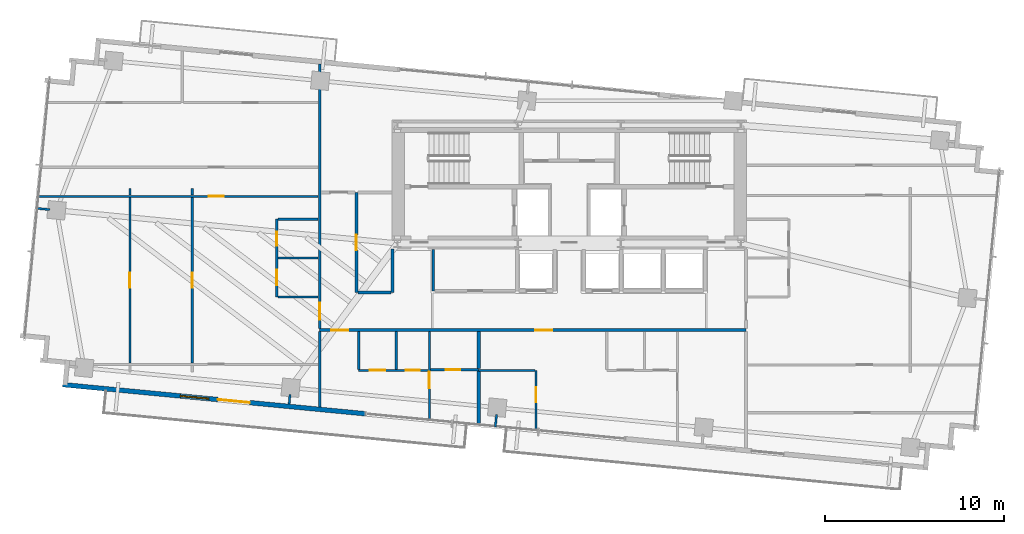
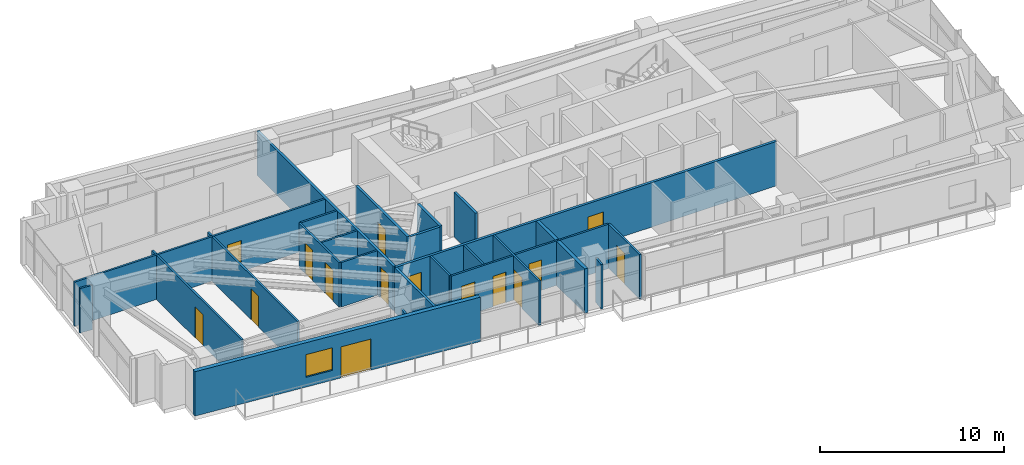
# One storey, part 15 of 20: 29 walls, 15 doors, 1 window, 16 openings.
"""IFC4 building model written with IfcOpenShell, lengths in metres."""

from ifc_helpers import new_model, si_unit, direction, frame, frame_2d, origin, place, context, subcontext, project, spatial, rectangle, extrude, source, transform, mapped, material, layer, layer_set, type_object, type_shapes, element, fill, save


model = new_model("IFC4")

# Units and contexts
model_context = context("Model", 3, precision=1e-05, world=origin(), true_north=direction((0.0, 1.0)))
body_context = subcontext(model_context, "Body", "Model", "MODEL_VIEW")
ifc_project = project(units=[si_unit("LENGTHUNIT", "METRE"), si_unit("AREAUNIT", "SQUARE_METRE"), si_unit("VOLUMEUNIT", "CUBIC_METRE"), si_unit("PLANEANGLEUNIT", "RADIAN"), si_unit("MASSUNIT", "GRAM", prefix="KILO")], contexts=[model_context])

# Site, building, storey
site_placement = place(None, origin())
site = spatial("IfcSite", under=ifc_project, at=site_placement, CompositionType="ELEMENT")
building_placement = place(site_placement, origin())
building = spatial("IfcBuilding", under=site, at=building_placement, Name="Astriad Promenade Condominiums", CompositionType="ELEMENT")
storey_placement = place(building_placement, frame((0.0, 0.0, 127.800048828125)))
storey = spatial("IfcBuildingStorey", under=building, at=storey_placement, Name="L36", CompositionType="ELEMENT", Elevation=127.800048828125)

# Wall
ifc_material_1 = material(Name="Fire-Rated Gypsum Partition")
ifc_layer_1 = layer(ifc_material_1, 0.159912109375)
ifc_layer_set_1 = layer_set([ifc_layer_1], Name="Fire-Rated Gypsum Partition")
wall_type_1 = type_object("IfcWallType", Name="WALL-CORR-160", PredefinedType="PARTITIONING", material=ifc_layer_set_1)
wall_1_placement = place(storey_placement, frame((28.39990234375, 14.75, 0.0), z_axis=(0.0, 0.0, 1.0), x_axis=(0.0, 1.0, 0.0)))
element("IfcWall", 1, at=wall_1_placement, inside=storey, type_object=wall_type_1, Name="REC-L-W-L36", PredefinedType="PARTITIONING", context=body_context, shape_type="SweptSolid", body=[
    extrude(rectangle(XDim=2.300048828125, YDim=0.159912109375, at=frame_2d((1.14990234375, 0.0))), origin(), (0.0, 0.0, 1.0), 2.93994140625),
])

# Wall, openings, doors
wall_2_placement = place(storey_placement, frame((22.050048828125, 12.550048828125, 0.0), z_axis=(0.0, 0.0, 1.0), x_axis=(1.0, 0.0, 0.0)))
wall_2 = element("IfcWall", 2, at=wall_2_placement, inside=storey, type_object=wall_type_1, Name="PT-COR-S-L36", PredefinedType="PARTITIONING", context=body_context, shape_type="SweptSolid", body=[
    extrude(rectangle(XDim=23.829833984375, YDim=0.159912109375, at=frame_2d((11.9150390625, 0.0))), origin(), (0.0, 0.0, 1.0), 2.93994140625),
])
opening_1_placement = place(wall_2_placement, frame((0.655029296875, 0.0, 0.0)))
opening_1 = element("IfcOpeningElement", 3, at=opening_1_placement, cuts=wall_2, Name="Opening FD60-APT-095", PredefinedType="OPENING", context=body_context, shape_type="SweptSolid", body=[
    extrude(rectangle(XDim=0.949951171875, YDim=2.06005859375, at=frame_2d((0.47509765625, 1.030029296875))), frame((0.0, 0.08984375, 0.0), z_axis=(0.0, -1.0, 0.0), x_axis=(1.0, 0.0, 0.0)), (0.0, 0.0, 1.0), 0.179931640625),
])
opening_2_placement = place(wall_2_placement, frame((12.0400390625, 0.0, 0.0)))
opening_2 = element("IfcOpeningElement", 4, at=opening_2_placement, cuts=wall_2, Name="Opening FD60-APT-095", PredefinedType="OPENING", context=body_context, shape_type="SweptSolid", body=[
    extrude(rectangle(XDim=0.949951171875, YDim=2.06005859375, at=frame_2d((0.47509765625, 1.030029296875))), frame((0.0, 0.08984375, 0.0), z_axis=(0.0, -1.0, 0.0), x_axis=(1.0, 0.0, 0.0)), (0.0, 0.0, 1.0), 0.179931640625),
])
ifc_material_2 = material(Name="Solid-Core Acoustic Timber Residence Entry Door", Category="wood")
door_type_1 = type_object("IfcDoorType", Name="FD60-APT-095", OperationType="NOTDEFINED", PredefinedType="DOOR", material=ifc_material_2)
shared_shape_1 = source(origin(), body_context, "Body", "SweptSolid", [
    extrude(rectangle(XDim=0.949951171875, YDim=2.06005859375, at=frame_2d((0.47509765625, 1.030029296875))), frame((0.0, 0.02490234375, 0.0), z_axis=(0.0, -1.0, 0.0), x_axis=(1.0, 0.0, 0.0)), (0.0, 0.0, 1.0), 0.050048828125),
])
type_shapes(door_type_1, [shared_shape_1])
door_1_placement = place(opening_1_placement, origin())
door_1 = element("IfcDoor", 5, at=door_1_placement, inside=storey, type_object=door_type_1, Name="D-ENT-L36-S1", OperationType="SINGLE_SWING_RIGHT", OverallHeight=2.06005859375, OverallWidth=0.949951171875, PredefinedType="DOOR", context=body_context, shape_type="MappedRepresentation", body=[
    mapped(shared_shape_1, transform((0.0, 0.0, 0.0), scale=1.0)),
])
fill(opening_1, door_1)
door_2_placement = place(opening_2_placement, origin())
door_2 = element("IfcDoor", 6, at=door_2_placement, inside=storey, type_object=door_type_1, Name="D-ENT-L36-S2", OperationType="SINGLE_SWING_LEFT", OverallHeight=2.06005859375, OverallWidth=0.949951171875, PredefinedType="DOOR", context=body_context, shape_type="MappedRepresentation", body=[
    mapped(shared_shape_1, transform((0.0, 0.0, 0.0), scale=1.0)),
])
fill(opening_2, door_2)

# Wall
wall_3_placement = place(storey_placement, frame((22.050048828125, 8.253173828125, 0.0), z_axis=(0.0, 0.0, 1.0), x_axis=(0.0, 1.0, 0.0)))
element("IfcWall", 7, at=wall_3_placement, inside=storey, type_object=wall_type_1, Name="PT-COR-W-L36", PredefinedType="PARTITIONING", context=body_context, shape_type="SweptSolid", body=[
    extrude(rectangle(XDim=4.21484375, YDim=0.159912109375, at=frame_2d((2.107421875, 0.0))), origin(), (0.0, 0.0, 1.0), 2.93994140625),
])

# Wall, opening, door
wall_4_placement = place(storey_placement, frame((22.050048828125, 12.632080078125, 0.0), z_axis=(0.0, 0.0, 1.0), x_axis=(0.0, 1.0, 0.0)))
wall_4 = element("IfcWall", 8, at=wall_4_placement, inside=storey, type_object=wall_type_1, Name="PT-COR-W-L36-S2", PredefinedType="PARTITIONING", context=body_context, shape_type="SweptSolid", body=[
    extrude(rectangle(XDim=14.78515625, YDim=0.159912109375, at=frame_2d((7.392578125, 0.0))), origin(), (0.0, 0.0, 1.0), 2.93994140625),
])
opening_3_placement = place(wall_4_placement, frame((0.492919921875, 0.0, 0.0)))
opening_3 = element("IfcOpeningElement", 9, at=opening_3_placement, cuts=wall_4, Name="Opening FD60-APT-095", PredefinedType="OPENING", context=body_context, shape_type="SweptSolid", body=[
    extrude(rectangle(XDim=0.949951171875, YDim=2.06005859375, at=frame_2d((0.47509765625, 1.030029296875))), frame((0.0, 0.08984375, 0.0), z_axis=(0.0, -1.0, 0.0), x_axis=(1.0, 0.0, 0.0)), (0.0, 0.0, 1.0), 0.179931640625),
])
door_3_placement = place(opening_3_placement, origin())
door_3 = element("IfcDoor", 10, at=door_3_placement, inside=storey, type_object=door_type_1, Name="D-ENT-L36-W1", OperationType="SINGLE_SWING_LEFT", OverallHeight=2.06005859375, OverallWidth=0.949951171875, PredefinedType="DOOR", context=body_context, shape_type="MappedRepresentation", body=[
    mapped(shared_shape_1, transform((0.0, 0.0, 0.0), scale=1.0)),
])
fill(opening_3, door_3)

wall_5_placement = place(storey_placement, frame((24.10009765625, 14.659912109375, 0.0), z_axis=(0.0, 0.0, 1.0), x_axis=(0.0, 1.0, 0.0)))
wall_5 = element("IfcWall", 11, at=wall_5_placement, inside=storey, type_object=wall_type_1, Name="PT-HK-E-L36", PredefinedType="PARTITIONING", context=body_context, shape_type="SweptSolid", body=[
    extrude(rectangle(XDim=5.590087890625, YDim=0.159912109375, at=frame_2d((2.794921875, 0.0))), origin(), (0.0, 0.0, 1.0), 2.93994140625),
])
opening_4_placement = place(wall_5_placement, frame((2.360107421875, 0.0, 0.0)))
opening_4 = element("IfcOpeningElement", 12, at=opening_4_placement, cuts=wall_5, Name="Opening FD60-ULOW-085", PredefinedType="OPENING", context=body_context, shape_type="SweptSolid", body=[
    extrude(rectangle(XDim=0.85009765625, YDim=2.0, at=frame_2d((0.425048828125, 1.0))), frame((0.0, 0.08984375, 0.0), z_axis=(0.0, -1.0, 0.0), x_axis=(1.0, 0.0, 0.0)), (0.0, 0.0, 1.0), 0.179931640625),
])
ifc_material_3 = material(Name="Solid-Core Low-Headroom Fire Door")
door_type_2 = type_object("IfcDoorType", Name="FD60-ULOW-085", OperationType="NOTDEFINED", PredefinedType="DOOR", material=ifc_material_3)
shared_shape_2 = source(origin(), body_context, "Body", "SweptSolid", [
    extrude(rectangle(XDim=0.85009765625, YDim=2.0, at=frame_2d((0.425048828125, 1.0))), frame((0.0, 0.02490234375, 0.0), z_axis=(0.0, -1.0, 0.0), x_axis=(1.0, 0.0, 0.0)), (0.0, 0.0, 1.0), 0.050048828125),
])
type_shapes(door_type_2, [shared_shape_2])
door_4_placement = place(opening_4_placement, origin())
door_4 = element("IfcDoor", 13, at=door_4_placement, inside=storey, type_object=door_type_2, Name="D-HKA-L36", OperationType="SINGLE_SWING_LEFT", OverallHeight=2.0, OverallWidth=0.85009765625, PredefinedType="DOOR", context=body_context, shape_type="MappedRepresentation", body=[
    mapped(shared_shape_2, transform((0.0, 0.0, 0.0), scale=1.0)),
])
fill(opening_4, door_4)

# Walls
wall_6_placement = place(storey_placement, frame((26.1201171875, 14.659912109375, 0.0), z_axis=(0.0, 0.0, 1.0), x_axis=(0.0, 1.0, 0.0)))
element("IfcWall", 14, at=wall_6_placement, inside=storey, type_object=wall_type_1, Name="PT-WSPUR-W-L36", PredefinedType="PARTITIONING", context=body_context, shape_type="SweptSolid", body=[
    extrude(rectangle(XDim=2.43798828125, YDim=0.159912109375, at=frame_2d((1.218994140625, 0.0))), origin(), (0.0, 0.0, 1.0), 2.93994140625),
])
wall_7_placement = place(storey_placement, frame((24.181884765625, 14.659912109375, 0.0), z_axis=(0.0, 0.0, 1.0), x_axis=(1.0, 0.0, 0.0)))
element("IfcWall", 15, at=wall_7_placement, inside=storey, type_object=wall_type_1, Name="PT-HK-S-L36", PredefinedType="PARTITIONING", context=body_context, shape_type="SweptSolid", body=[
    extrude(rectangle(XDim=1.856201171875, YDim=0.159912109375, at=frame_2d((0.92822265625, 0.0))), origin(), (0.0, 0.0, 1.0), 2.93994140625),
])
ifc_material_4 = material(Name="Acoustic Double-Stud Gypsum Partition")
ifc_layer_2 = layer(ifc_material_4, 0.199951171875)
ifc_layer_set_2 = layer_set([ifc_layer_2], Name="Acoustic Double-Stud Gypsum Partition")
wall_type_2 = type_object("IfcWallType", Name="WALL-DEMISING-200", PredefinedType="PARTITIONING", material=ifc_layer_set_2)
wall_8_placement = place(storey_placement, frame((30.929931640625, 7.215087890625, 0.0), z_axis=(0.0, 0.0, 1.0), x_axis=(0.0, 1.0, 0.0)))
element("IfcWall", 16, at=wall_8_placement, inside=storey, type_object=wall_type_2, Name="PT-DEM-S1-L36", PredefinedType="PARTITIONING", context=body_context, shape_type="SweptSolid", body=[
    extrude(rectangle(XDim=3.06201171875, YDim=0.199951171875, at=frame_2d((1.531005859375, 0.0))), origin(), (0.0, 0.0, 1.0), 2.93994140625),
])
wall_9_placement = place(storey_placement, frame((30.929931640625, 10.40087890625, 0.0), z_axis=(0.0, 0.0, 1.0), x_axis=(0.0, 1.0, 0.0)))
element("IfcWall", 17, at=wall_9_placement, inside=storey, type_object=wall_type_2, Name="PT-DEM-S1-L36-S2", PredefinedType="PARTITIONING", context=body_context, shape_type="SweptSolid", body=[
    extrude(rectangle(XDim=2.067138671875, YDim=0.199951171875, at=frame_2d((1.03369140625, 0.0))), origin(), (0.0, 0.0, 1.0), 2.93994140625),
])

# Wall, openings, door, window
ifc_material_5 = material(Name="Precast concrete C50/60", Category="concrete")
ifc_layer_3 = layer(ifc_material_5, 0.260009765625)
ifc_layer_set_3 = layer_set([ifc_layer_3], Name="Precast concrete C50/60")
wall_type_3 = type_object("IfcWallType", Name="WALL-EXT-TWR-260", PredefinedType="STANDARD", material=ifc_layer_set_3)
wall_10_placement = place(storey_placement, frame((24.61669921875, 7.873291015625, 0.0), z_axis=(0.0, 0.0, 1.0), x_axis=(-0.995395976631, 0.095848055311, 0.0)))
wall_10 = element("IfcWall", 18, at=wall_10_placement, inside=storey, type_object=wall_type_3, Name="W-EXT-L36-S2", PredefinedType="STANDARD", context=body_context, shape_type="SweptSolid", body=[
    extrude(rectangle(XDim=17.010009765625, YDim=0.260009765625, at=frame_2d((8.5048828125, 0.0))), origin(), (0.0, 0.0, 1.0), 2.93994140625),
])
opening_5_placement = place(wall_10_placement, frame((6.510009765625, 0.0, 0.0)))
opening_5 = element("IfcOpeningElement", 19, at=opening_5_placement, cuts=wall_10, Name="Opening BD-1822-SLD", PredefinedType="OPENING", context=body_context, shape_type="SweptSolid", body=[
    extrude(rectangle(XDim=1.800048828125, YDim=2.06005859375, at=frame_2d((0.89990234375, 1.030029296875))), frame((0.0, 0.139892578125, 0.0), z_axis=(0.0, -1.0, 0.0), x_axis=(1.0, 0.0, 0.0)), (0.0, 0.0, 1.0), 0.280029296875),
])
opening_6_placement = place(wall_10_placement, frame((8.800048828125, 0.0, 0.64990234375)))
opening_6 = element("IfcOpeningElement", 20, at=opening_6_placement, cuts=wall_10, Name="Opening WIN-TWR-1620", PredefinedType="OPENING", context=body_context, shape_type="SweptSolid", body=[
    extrude(rectangle(XDim=1.60009765625, YDim=1.5, at=frame_2d((0.800048828125, 0.75))), frame((0.0, 0.139892578125, 0.0), z_axis=(0.0, -1.0, 0.0), x_axis=(1.0, 0.0, 0.0)), (0.0, 0.0, 1.0), 0.280029296875),
])
ifc_material_6 = material(Name="Thermally Broken Aluminium Sliding Balcony Door", Category="aluminium")
door_type_3 = type_object("IfcDoorType", Name="BD-1822-SLD", OperationType="NOTDEFINED", PredefinedType="DOOR", material=ifc_material_6)
shared_shape_3 = source(origin(), body_context, "Body", "SweptSolid", [
    extrude(rectangle(XDim=1.800048828125, YDim=2.06005859375, at=frame_2d((0.89990234375, 1.030029296875))), frame((0.0, 0.02490234375, 0.0), z_axis=(0.0, -1.0, 0.0), x_axis=(1.0, 0.0, 0.0)), (0.0, 0.0, 1.0), 0.050048828125),
])
type_shapes(door_type_3, [shared_shape_3])
door_5_placement = place(opening_5_placement, origin())
door_5 = element("IfcDoor", 21, at=door_5_placement, inside=storey, type_object=door_type_3, Name="BD-L36-SW", OperationType="SLIDING_TO_LEFT", OverallHeight=2.06005859375, OverallWidth=1.800048828125, PredefinedType="DOOR", context=body_context, shape_type="MappedRepresentation", body=[
    mapped(shared_shape_3, transform((0.0, 0.0, 0.0), scale=1.0)),
])
fill(opening_5, door_5)
ifc_material_7 = material(Name="Dark Tinted Triple-Glazed Aluminium Window", Category="aluminium")
window_type = type_object("IfcWindowType", Name="WIN-TWR-1620", PartitioningType="SINGLE_PANEL", PredefinedType="WINDOW", material=ifc_material_7)
shared_shape_4 = source(origin(), body_context, "Body", "SweptSolid", [
    extrude(rectangle(XDim=1.60009765625, YDim=1.5, at=frame_2d((0.800048828125, 0.75))), frame((0.0, 0.030029296875, 0.0), z_axis=(0.0, -1.0, 0.0), x_axis=(1.0, 0.0, 0.0)), (0.0, 0.0, 1.0), 0.06005859375),
])
type_shapes(window_type, [shared_shape_4])
window_placement = place(opening_6_placement, origin())
window = element("IfcWindow", 22, at=window_placement, inside=storey, type_object=window_type, Name="WIN-L36-SW", OverallHeight=1.5, OverallWidth=1.60009765625, PartitioningType="SINGLE_PANEL", PredefinedType="WINDOW", context=body_context, shape_type="MappedRepresentation", body=[
    mapped(shared_shape_4, transform((0.0, 0.0, 0.0), scale=1.0)),
])
fill(opening_6, window)

# Wall, opening, door
ifc_material_8 = material(Name="Acoustic Metal-Stud Gypsum Partition")
ifc_layer_4 = layer(ifc_material_8, 0.1201171875)
ifc_layer_set_4 = layer_set([ifc_layer_4], Name="Acoustic Metal-Stud Gypsum Partition")
wall_type_4 = type_object("IfcWallType", Name="WALL-PART-120", PredefinedType="PARTITIONING", material=ifc_layer_set_4)
wall_11_placement = place(storey_placement, frame((28.179931640625, 7.47998046875, 0.0), z_axis=(0.0, 0.0, 1.0), x_axis=(0.0, 1.0, 0.0)))
wall_11 = element("IfcWall", 23, at=wall_11_placement, inside=storey, type_object=wall_type_4, Name="PT-L36-S1-BD1", PredefinedType="PARTITIONING", context=body_context, shape_type="SweptSolid", body=[
    extrude(rectangle(XDim=4.988037109375, YDim=0.1201171875, at=frame_2d((2.494140625, 0.0))), origin(), (0.0, 0.0, 1.0), 2.93994140625),
])
opening_7_placement = place(wall_11_placement, frame((1.835205078125, 0.0, 0.0)))
opening_7 = element("IfcOpeningElement", 24, at=opening_7_placement, cuts=wall_11, Name="Opening D-INT-090", PredefinedType="OPENING", context=body_context, shape_type="SweptSolid", body=[
    extrude(rectangle(XDim=0.89990234375, YDim=2.050048828125, at=frame_2d((0.449951171875, 1.02490234375))), frame((0.0, 0.070068359375, 0.0), z_axis=(0.0, -1.0, 0.0), x_axis=(1.0, 0.0, 0.0)), (0.0, 0.0, 1.0), 0.14013671875),
])
ifc_material_9 = material(Name="Painted Solid-Core Timber Bedroom Door", Category="wood")
door_type_4 = type_object("IfcDoorType", Name="D-INT-090", OperationType="NOTDEFINED", PredefinedType="DOOR", material=ifc_material_9)
shared_shape_5 = source(origin(), body_context, "Body", "SweptSolid", [
    extrude(rectangle(XDim=0.89990234375, YDim=2.050048828125, at=frame_2d((0.449951171875, 1.02490234375))), frame((0.0, 0.02490234375, 0.0), z_axis=(0.0, -1.0, 0.0), x_axis=(1.0, 0.0, 0.0)), (0.0, 0.0, 1.0), 0.050048828125),
])
type_shapes(door_type_4, [shared_shape_5])
door_6_placement = place(opening_7_placement, origin())
door_6 = element("IfcDoor", 25, at=door_6_placement, inside=storey, type_object=door_type_4, Name="D-BD1-L36-S1", OperationType="SINGLE_SWING_LEFT", OverallHeight=2.050048828125, OverallWidth=0.89990234375, PredefinedType="DOOR", context=body_context, shape_type="MappedRepresentation", body=[
    mapped(shared_shape_5, transform((0.0, 0.0, 0.0), scale=1.0)),
])
fill(opening_7, door_6)

# Wall, openings, doors
wall_12_placement = place(storey_placement, frame((24.22998046875, 10.300048828125, 0.0), z_axis=(0.0, 0.0, 1.0), x_axis=(1.0, 0.0, 0.0)))
wall_12 = element("IfcWall", 26, at=wall_12_placement, inside=storey, type_object=wall_type_4, Name="PT-L36-S1-PS", PredefinedType="PARTITIONING", context=body_context, shape_type="SweptSolid", body=[
    extrude(rectangle(XDim=3.887939453125, YDim=0.1201171875, at=frame_2d((1.94384765625, 0.0))), origin(), (0.0, 0.0, 1.0), 2.93994140625),
])
opening_8_placement = place(wall_12_placement, frame((0.625, 0.0, 0.0)))
opening_8 = element("IfcOpeningElement", 27, at=opening_8_placement, cuts=wall_12, Name="Opening D-INT-085", PredefinedType="OPENING", context=body_context, shape_type="SweptSolid", body=[
    extrude(rectangle(XDim=0.85009765625, YDim=2.050048828125, at=frame_2d((0.425048828125, 1.02490234375))), frame((0.0, 0.070068359375, 0.0), z_axis=(0.0, -1.0, 0.0), x_axis=(1.0, 0.0, 0.0)), (0.0, 0.0, 1.0), 0.14013671875),
])
opening_9_placement = place(wall_12_placement, frame((2.625, 0.0, 0.0)))
opening_9 = element("IfcOpeningElement", 28, at=opening_9_placement, cuts=wall_12, Name="Opening D-WET-080", PredefinedType="OPENING", context=body_context, shape_type="SweptSolid", body=[
    extrude(rectangle(XDim=0.800048828125, YDim=2.02001953125, at=frame_2d((0.39990234375, 1.010009765625))), frame((0.0, 0.070068359375, 0.0), z_axis=(0.0, -1.0, 0.0), x_axis=(1.0, 0.0, 0.0)), (0.0, 0.0, 1.0), 0.14013671875),
])
ifc_material_10 = material(Name="Moisture-Resistant Timber Bathroom Door", Category="wood")
door_type_5 = type_object("IfcDoorType", Name="D-WET-080", OperationType="NOTDEFINED", PredefinedType="DOOR", material=ifc_material_10)
shared_shape_6 = source(origin(), body_context, "Body", "SweptSolid", [
    extrude(rectangle(XDim=0.800048828125, YDim=2.02001953125, at=frame_2d((0.39990234375, 1.010009765625))), frame((0.0, 0.02490234375, 0.0), z_axis=(0.0, -1.0, 0.0), x_axis=(1.0, 0.0, 0.0)), (0.0, 0.0, 1.0), 0.050048828125),
])
type_shapes(door_type_5, [shared_shape_6])
door_7_placement = place(opening_9_placement, origin())
door_7 = element("IfcDoor", 29, at=door_7_placement, inside=storey, type_object=door_type_5, Name="D-BTH-L36-S1", OperationType="SINGLE_SWING_LEFT", OverallHeight=2.02001953125, OverallWidth=0.800048828125, PredefinedType="DOOR", context=body_context, shape_type="MappedRepresentation", body=[
    mapped(shared_shape_6, transform((0.0, 0.0, 0.0), scale=1.0)),
])
fill(opening_9, door_7)
ifc_material_11 = material(Name="Painted Solid-Core Timber Room Door", Category="wood")
door_type_6 = type_object("IfcDoorType", Name="D-INT-085", OperationType="NOTDEFINED", PredefinedType="DOOR", material=ifc_material_11)
shared_shape_7 = source(origin(), body_context, "Body", "SweptSolid", [
    extrude(rectangle(XDim=0.85009765625, YDim=2.050048828125, at=frame_2d((0.425048828125, 1.02490234375))), frame((0.0, 0.02490234375, 0.0), z_axis=(0.0, -1.0, 0.0), x_axis=(1.0, 0.0, 0.0)), (0.0, 0.0, 1.0), 0.050048828125),
])
type_shapes(door_type_6, [shared_shape_7])
door_8_placement = place(opening_8_placement, origin())
door_8 = element("IfcDoor", 30, at=door_8_placement, inside=storey, type_object=door_type_6, Name="D-KIT-L36-S1", OperationType="SINGLE_SWING_RIGHT", OverallHeight=2.050048828125, OverallWidth=0.85009765625, PredefinedType="DOOR", context=body_context, shape_type="MappedRepresentation", body=[
    mapped(shared_shape_7, transform((0.0, 0.0, 0.0), scale=1.0)),
])
fill(opening_8, door_8)

# Walls
for number, where, z_axis, x_axis, name in (
    (31, (26.330078125, 10.362060546875, 0.0), (0.0, 0.0, 1.0), (0.0, 1.0, 0.0), "PT-L36-S1-PBK"),
    (32, (24.22998046875, 10.362060546875, 0.0), (0.0, 0.0, 1.0), (0.0, 1.0, 0.0), "PT-L36-S1-PKW"),
):
    element("IfcWall", number, at=place(storey_placement, frame(where, z_axis=z_axis, x_axis=x_axis)), inside=storey, type_object=wall_type_4, Name=name, PredefinedType="PARTITIONING", context=body_context, shape_type="SweptSolid", body=[
        extrude(rectangle(XDim=2.10595703125, YDim=0.1201171875, at=frame_2d((1.052978515625, 0.0))), origin(), (0.0, 0.0, 1.0), 2.93994140625),
    ])

# Wall, opening, door
wall_13_placement = place(storey_placement, frame((28.241943359375, 10.339111328125, 0.0), z_axis=(0.0, 0.0, 1.0), x_axis=(1.0, 0.0, 0.0)))
wall_13 = element("IfcWall", 33, at=wall_13_placement, inside=storey, type_object=wall_type_4, Name="PT-L36-S1-ENS", PredefinedType="PARTITIONING", context=body_context, shape_type="SweptSolid", body=[
    extrude(rectangle(XDim=2.68798828125, YDim=0.1201171875, at=frame_2d((1.343994140625, 0.0))), origin(), (0.0, 0.0, 1.0), 2.93994140625),
])
opening_10_placement = place(wall_13_placement, frame((0.863037109375, 0.0, 0.0)))
opening_10 = element("IfcOpeningElement", 34, at=opening_10_placement, cuts=wall_13, Name="Opening D-WET-080", PredefinedType="OPENING", context=body_context, shape_type="SweptSolid", body=[
    extrude(rectangle(XDim=0.800048828125, YDim=2.02001953125, at=frame_2d((0.39990234375, 1.010009765625))), frame((0.0, 0.070068359375, 0.0), z_axis=(0.0, -1.0, 0.0), x_axis=(1.0, 0.0, 0.0)), (0.0, 0.0, 1.0), 0.14013671875),
])
door_9_placement = place(opening_10_placement, origin())
door_9 = element("IfcDoor", 35, at=door_9_placement, inside=storey, type_object=door_type_5, Name="D-ENS-L36-S1", OperationType="SINGLE_SWING_LEFT", OverallHeight=2.02001953125, OverallWidth=0.800048828125, PredefinedType="DOOR", context=body_context, shape_type="MappedRepresentation", body=[
    mapped(shared_shape_6, transform((0.0, 0.0, 0.0), scale=1.0)),
])
fill(opening_10, door_9)

wall_14_placement = place(storey_placement, frame((34.14111328125, 6.906005859375, 0.0), z_axis=(0.0, 0.0, 1.0), x_axis=(0.0, 1.0, 0.0)))
wall_14 = element("IfcWall", 36, at=wall_14_placement, inside=storey, type_object=wall_type_4, Name="PT-L36-S2-EXV", PredefinedType="PARTITIONING", context=body_context, shape_type="SweptSolid", body=[
    extrude(rectangle(XDim=3.39404296875, YDim=0.1201171875, at=frame_2d((1.697021484375, 0.0))), origin(), (0.0, 0.0, 1.0), 2.93994140625),
])
opening_11_placement = place(wall_14_placement, frame((1.614990234375, 0.0, 0.0)))
opening_11 = element("IfcOpeningElement", 37, at=opening_11_placement, cuts=wall_14, Name="Opening D-INT-085", PredefinedType="OPENING", context=body_context, shape_type="SweptSolid", body=[
    extrude(rectangle(XDim=0.85009765625, YDim=2.050048828125, at=frame_2d((0.425048828125, 1.02490234375))), frame((0.0, 0.070068359375, 0.0), z_axis=(0.0, -1.0, 0.0), x_axis=(1.0, 0.0, 0.0)), (0.0, 0.0, 1.0), 0.14013671875),
])
door_10_placement = place(opening_11_placement, origin())
door_10 = element("IfcDoor", 38, at=door_10_placement, inside=storey, type_object=door_type_6, Name="D-EX-L36-S2", OperationType="SINGLE_SWING_RIGHT", OverallHeight=2.050048828125, OverallWidth=0.85009765625, PredefinedType="DOOR", context=body_context, shape_type="MappedRepresentation", body=[
    mapped(shared_shape_7, transform((0.0, 0.0, 0.0), scale=1.0)),
])
fill(opening_11, door_10)

# Wall
wall_15_placement = place(storey_placement, frame((30.929931640625, 10.300048828125, 0.0), z_axis=(0.0, 0.0, 1.0), x_axis=(1.0, 0.0, 0.0)))
element("IfcWall", 39, at=wall_15_placement, inside=storey, type_object=wall_type_4, Name="PT-L36-S2-EXH", PredefinedType="PARTITIONING", context=body_context, shape_type="SweptSolid", body=[
    extrude(rectangle(XDim=3.149169921875, YDim=0.1201171875, at=frame_2d((1.57470703125, 0.0))), origin(), (0.0, 0.0, 1.0), 2.93994140625),
])

# Wall, openings, doors
wall_16_placement = place(storey_placement, frame((19.64990234375, 14.39990234375, 0.0), z_axis=(0.0, 0.0, 1.0), x_axis=(0.0, 1.0, 0.0)))
wall_16 = element("IfcWall", 40, at=wall_16_placement, inside=storey, type_object=wall_type_4, Name="PT-L36-W1-PV", PredefinedType="PARTITIONING", context=body_context, shape_type="SweptSolid", body=[
    extrude(rectangle(XDim=4.35009765625, YDim=0.1201171875, at=frame_2d((2.175048828125, 0.0))), origin(), (0.0, 0.0, 1.0), 2.93994140625),
])
opening_12_placement = place(wall_16_placement, frame((0.6630859375, 0.0, 0.0)))
opening_12 = element("IfcOpeningElement", 41, at=opening_12_placement, cuts=wall_16, Name="Opening D-INT-085", PredefinedType="OPENING", context=body_context, shape_type="SweptSolid", body=[
    extrude(rectangle(XDim=0.85009765625, YDim=2.050048828125, at=frame_2d((0.425048828125, 1.02490234375))), frame((0.0, 0.070068359375, 0.0), z_axis=(0.0, -1.0, 0.0), x_axis=(1.0, 0.0, 0.0)), (0.0, 0.0, 1.0), 0.14013671875),
])
opening_13_placement = place(wall_16_placement, frame((2.863037109375, 0.0, 0.0)))
opening_13 = element("IfcOpeningElement", 42, at=opening_13_placement, cuts=wall_16, Name="Opening D-WET-080", PredefinedType="OPENING", context=body_context, shape_type="SweptSolid", body=[
    extrude(rectangle(XDim=0.800048828125, YDim=2.02001953125, at=frame_2d((0.39990234375, 1.010009765625))), frame((0.0, 0.070068359375, 0.0), z_axis=(0.0, -1.0, 0.0), x_axis=(1.0, 0.0, 0.0)), (0.0, 0.0, 1.0), 0.14013671875),
])
door_11_placement = place(opening_13_placement, origin())
door_11 = element("IfcDoor", 43, at=door_11_placement, inside=storey, type_object=door_type_5, Name="D-BTH-L36-W1", OperationType="SINGLE_SWING_LEFT", OverallHeight=2.02001953125, OverallWidth=0.800048828125, PredefinedType="DOOR", context=body_context, shape_type="MappedRepresentation", body=[
    mapped(shared_shape_6, transform((0.0, 0.0, 0.0), scale=1.0)),
])
fill(opening_13, door_11)
door_12_placement = place(opening_12_placement, origin())
door_12 = element("IfcDoor", 44, at=door_12_placement, inside=storey, type_object=door_type_6, Name="D-KIT-L36-W1", OperationType="SINGLE_SWING_RIGHT", OverallHeight=2.050048828125, OverallWidth=0.85009765625, PredefinedType="DOOR", context=body_context, shape_type="MappedRepresentation", body=[
    mapped(shared_shape_7, transform((0.0, 0.0, 0.0), scale=1.0)),
])
fill(opening_12, door_12)

# Walls
for number, where, z_axis, x_axis, name in (
    (45, (19.7119140625, 16.574951171875, 0.0), (0.0, 0.0, 1.0), (1.0, 0.0, 0.0), "PT-L36-W1-PM"),
    (46, (19.7119140625, 14.39990234375, 0.0), (0.0, 0.0, 1.0), (1.0, 0.0, 0.0), "PT-L36-W1-PS"),
    (47, (19.7119140625, 18.75, 0.0), (0.0, 0.0, 1.0), (1.0, 0.0, 0.0), "PT-L36-W1-PN"),
):
    element("IfcWall", number, at=place(storey_placement, frame(where, z_axis=z_axis, x_axis=x_axis)), inside=storey, type_object=wall_type_4, Name=name, PredefinedType="PARTITIONING", context=body_context, shape_type="SweptSolid", body=[
        extrude(rectangle(XDim=2.256103515625, YDim=0.1201171875, at=frame_2d((1.1279296875, 0.0))), origin(), (0.0, 0.0, 1.0), 2.93994140625),
    ])

# Wall, opening, door
wall_17_placement = place(storey_placement, frame((6.267578125, 20.031005859375, 0.0), z_axis=(0.0, 0.0, 1.0), x_axis=(1.0, 0.0, 0.0)))
wall_17 = element("IfcWall", 48, at=wall_17_placement, inside=storey, type_object=wall_type_4, Name="PT-L36-W1-WDN3", PredefinedType="PARTITIONING", context=body_context, shape_type="SweptSolid", body=[
    extrude(rectangle(XDim=15.700439453125, YDim=0.1201171875, at=frame_2d((7.85009765625, 0.0))), origin(), (0.0, 0.0, 1.0), 2.93994140625),
])
opening_14_placement = place(wall_17_placement, frame((9.57861328125, 0.0, 0.0)))
opening_14 = element("IfcOpeningElement", 49, at=opening_14_placement, cuts=wall_17, Name="Opening D-INT-085", PredefinedType="OPENING", context=body_context, shape_type="SweptSolid", body=[
    extrude(rectangle(XDim=0.85009765625, YDim=2.050048828125, at=frame_2d((0.425048828125, 1.02490234375))), frame((0.0, 0.070068359375, 0.0), z_axis=(0.0, -1.0, 0.0), x_axis=(1.0, 0.0, 0.0)), (0.0, 0.0, 1.0), 0.14013671875),
])
door_13_placement = place(opening_14_placement, origin())
door_13 = element("IfcDoor", 50, at=door_13_placement, inside=storey, type_object=door_type_6, Name="D-WDN3-L36-W1", OperationType="SINGLE_SWING_RIGHT", OverallHeight=2.050048828125, OverallWidth=0.85009765625, PredefinedType="DOOR", context=body_context, shape_type="MappedRepresentation", body=[
    mapped(shared_shape_7, transform((0.0, 0.0, 0.0), scale=1.0)),
])
fill(opening_14, door_13)

wall_18_placement = place(storey_placement, frame((11.43701171875, 10.700927734375, 0.0), z_axis=(0.0, 0.0, 1.0), x_axis=(0.0, 1.0, 0.0)))
wall_18 = element("IfcWall", 51, at=wall_18_placement, inside=storey, type_object=wall_type_4, Name="PT-L36-W1-WDV4-S2", PredefinedType="PARTITIONING", context=body_context, shape_type="SweptSolid", body=[
    extrude(rectangle(XDim=9.26806640625, YDim=0.1201171875, at=frame_2d((4.634033203125, 0.0))), origin(), (0.0, 0.0, 1.0), 2.93994140625),
])
opening_15_placement = place(wall_18_placement, frame((4.208984375, 0.0, 0.0)))
opening_15 = element("IfcOpeningElement", 52, at=opening_15_placement, cuts=wall_18, Name="Opening D-INT-085", PredefinedType="OPENING", context=body_context, shape_type="SweptSolid", body=[
    extrude(rectangle(XDim=0.85009765625, YDim=2.050048828125, at=frame_2d((0.425048828125, 1.02490234375))), frame((0.0, 0.070068359375, 0.0), z_axis=(0.0, -1.0, 0.0), x_axis=(1.0, 0.0, 0.0)), (0.0, 0.0, 1.0), 0.14013671875),
])
door_14_placement = place(opening_15_placement, origin())
door_14 = element("IfcDoor", 53, at=door_14_placement, inside=storey, type_object=door_type_6, Name="D-WDV4-L36-W1", OperationType="SINGLE_SWING_LEFT", OverallHeight=2.050048828125, OverallWidth=0.85009765625, PredefinedType="DOOR", context=body_context, shape_type="MappedRepresentation", body=[
    mapped(shared_shape_7, transform((0.0, 0.0, 0.0), scale=1.0)),
])
fill(opening_15, door_14)

# Wall
wall_19_placement = place(storey_placement, frame((11.43701171875, 20.093017578125, 0.0), z_axis=(0.0, 0.0, 1.0), x_axis=(0.0, 1.0, 0.0)))
element("IfcWall", 54, at=wall_19_placement, inside=storey, type_object=wall_type_4, Name="PT-L36-W1-WDV4-S3", PredefinedType="PARTITIONING", context=body_context, shape_type="SweptSolid", body=[
    extrude(rectangle(XDim=0.3779296875, YDim=0.1201171875, at=frame_2d((0.18896484375, 0.0))), origin(), (0.0, 0.0, 1.0), 2.93994140625),
])

# Wall, opening, door
wall_20_placement = place(storey_placement, frame((14.9208984375, 10.700927734375, 0.0), z_axis=(0.0, 0.0, 1.0), x_axis=(0.0, 1.0, 0.0)))
wall_20 = element("IfcWall", 55, at=wall_20_placement, inside=storey, type_object=wall_type_4, Name="PT-L36-W1-WDV5-S2", PredefinedType="PARTITIONING", context=body_context, shape_type="SweptSolid", body=[
    extrude(rectangle(XDim=9.26806640625, YDim=0.1201171875, at=frame_2d((4.634033203125, 0.0))), origin(), (0.0, 0.0, 1.0), 2.93994140625),
])
opening_16_placement = place(wall_20_placement, frame((4.208984375, 0.0, 0.0)))
opening_16 = element("IfcOpeningElement", 56, at=opening_16_placement, cuts=wall_20, Name="Opening D-INT-085", PredefinedType="OPENING", context=body_context, shape_type="SweptSolid", body=[
    extrude(rectangle(XDim=0.85009765625, YDim=2.050048828125, at=frame_2d((0.425048828125, 1.02490234375))), frame((0.0, 0.070068359375, 0.0), z_axis=(0.0, -1.0, 0.0), x_axis=(1.0, 0.0, 0.0)), (0.0, 0.0, 1.0), 0.14013671875),
])
door_15_placement = place(opening_16_placement, origin())
door_15 = element("IfcDoor", 57, at=door_15_placement, inside=storey, type_object=door_type_6, Name="D-WDV5-L36-W1", OperationType="SINGLE_SWING_RIGHT", OverallHeight=2.050048828125, OverallWidth=0.85009765625, PredefinedType="DOOR", context=body_context, shape_type="MappedRepresentation", body=[
    mapped(shared_shape_7, transform((0.0, 0.0, 0.0), scale=1.0)),
])
fill(opening_16, door_15)

# Walls
wall_21_placement = place(storey_placement, frame((14.9208984375, 20.093017578125, 0.0), z_axis=(0.0, 0.0, 1.0), x_axis=(0.0, 1.0, 0.0)))
element("IfcWall", 58, at=wall_21_placement, inside=storey, type_object=wall_type_4, Name="PT-L36-W1-WDV5-S3", PredefinedType="PARTITIONING", context=body_context, shape_type="SweptSolid", body=[
    extrude(rectangle(XDim=0.3779296875, YDim=0.1201171875, at=frame_2d((0.18896484375, 0.0))), origin(), (0.0, 0.0, 1.0), 2.93994140625),
])
wall_22_placement = place(storey_placement, frame((20.390869140625, 8.953125, 0.0), z_axis=(0.0, 0.0, 1.0), x_axis=(-0.096222656154, -0.995359834654, 0.0)))
element("IfcWall", 59, at=wall_22_placement, inside=storey, type_object=wall_type_4, Name="PT-PIL-L36-PC02-9", PredefinedType="PARTITIONING", context=body_context, shape_type="SweptSolid", body=[
    extrude(rectangle(XDim=0.537841796875, YDim=0.1201171875, at=frame_2d((0.26904296875, 0.0))), origin(), (0.0, 0.0, 1.0), 2.93994140625),
])
wall_23_placement = place(storey_placement, frame((31.9375, 7.84130859375, 0.0), z_axis=(0.0, 0.0, 1.0), x_axis=(-0.095977354523, -0.995383517755, 0.0)))
element("IfcWall", 60, at=wall_23_placement, inside=storey, type_object=wall_type_4, Name="PT-PIL-L36-PC03-10", PredefinedType="PARTITIONING", context=body_context, shape_type="SweptSolid", body=[
    extrude(rectangle(XDim=0.719970703125, YDim=0.1201171875, at=frame_2d((0.35986328125, 0.0))), origin(), (0.0, 0.0, 1.0), 2.93994140625),
])
wall_24_placement = place(storey_placement, frame((6.95947265625, 19.2880859375, 0.0), z_axis=(0.0, 0.0, 1.0), x_axis=(-0.995377786728, 0.096036772582, 0.0)))
element("IfcWall", 61, at=wall_24_placement, inside=storey, type_object=wall_type_4, Name="PT-PIL-L36-PC11-18", PredefinedType="PARTITIONING", context=body_context, shape_type="SweptSolid", body=[
    extrude(rectangle(XDim=0.760009765625, YDim=0.1201171875, at=frame_2d((0.3798828125, 0.0))), origin(), (0.0, 0.0, 1.0), 2.93994140625),
])

save(model, "model.ifc")
